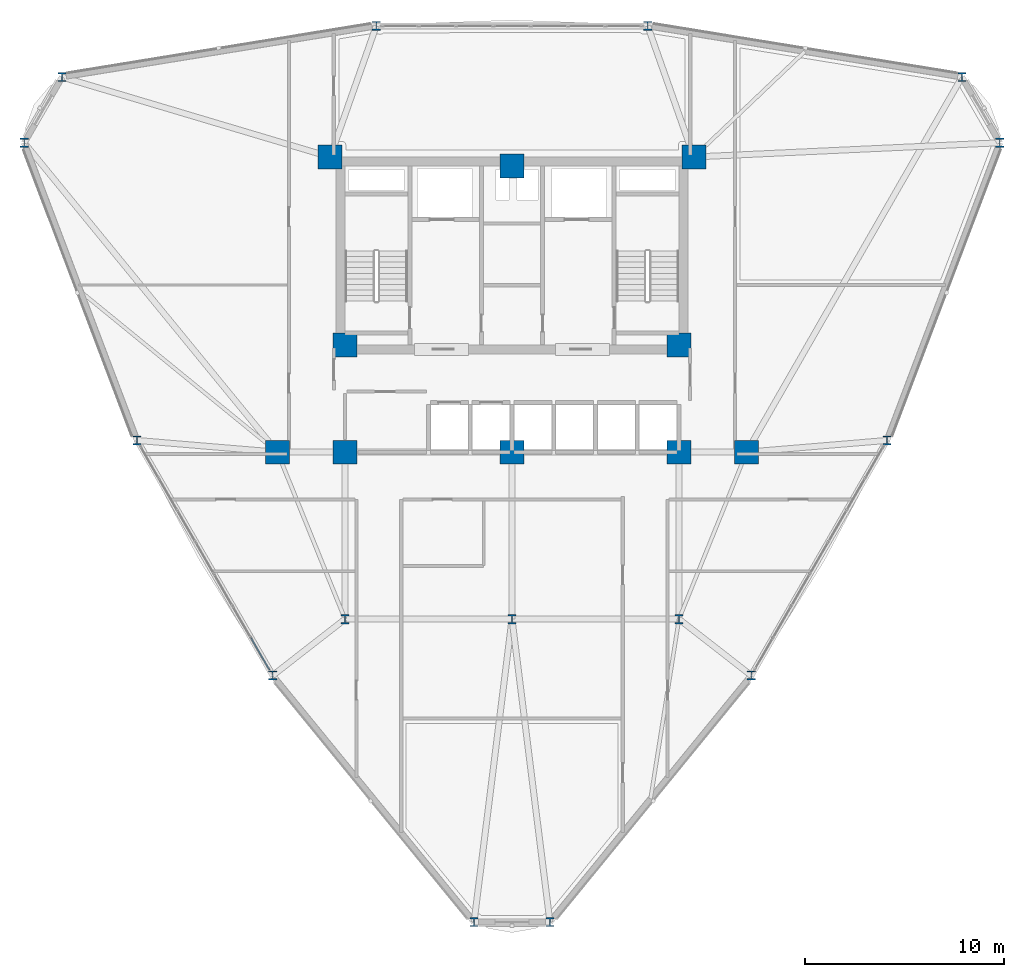
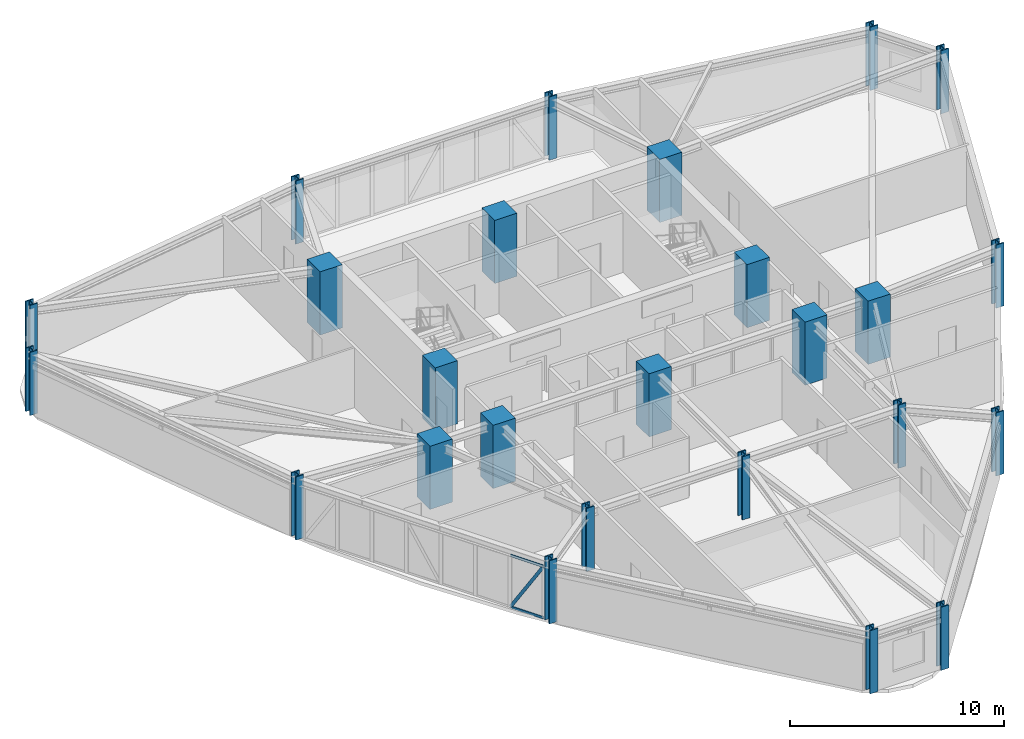
# One storey, part 1 of 17: 25 columns, 3 members, 1 element without a shape of its own.
"""IFC4 building model written with IfcOpenShell, lengths in metres."""

import ifcopenshell
import ifcopenshell.guid

model = None  # the IFC model being written
_history = None  # IfcOwnerHistory: only IFC2X3 demands one
_inside = {}  # id of a spatial element -> (the spatial element, [elements in it])
_under = {}  # id of a project, library or spatial element -> (it, [spatial elements below it])
_declared = {}  # id of a project -> (the project, [libraries it declares])
_typed = {}  # id of a type object -> (the type object, [elements of that type])
_made_of = {}  # id of a material, layer set ... -> (it, [elements and type objects made of it])


def new_model(schema):
    """Start an empty IFC model of exactly this schema.

    Asked for "IFC4X3", IfcOpenShell would pick the latest addendum, in which some entities
    have other attributes; the version numbers below select the first issue.
    IFC2X3 requires an IfcOwnerHistory on every rooted entity: one is made here for all.
    """
    global model, _history
    if schema == "IFC4X3":
        model = ifcopenshell.file(schema_version=(4, 3, 0, 0))
    else:
        model = ifcopenshell.file(schema=schema)
    _inside.clear()
    _under.clear()
    _declared.clear()
    _typed.clear()
    _made_of.clear()
    _history = None
    if model.schema == "IFC2X3":
        org = make("IfcOrganization", Name="unknown")
        user = make(
            "IfcPersonAndOrganization",
            ThePerson=make("IfcPerson", FamilyName="unknown"),
            TheOrganization=org,
        )
        app = make(
            "IfcApplication",
            ApplicationDeveloper=org,
            Version="unknown",
            ApplicationFullName="unknown",
            ApplicationIdentifier="unknown",
        )
        _history = make(
            "IfcOwnerHistory",
            OwningUser=user,
            OwningApplication=app,
            ChangeAction="ADDED",
            CreationDate=0,
        )
    return model


def make(cls, **values):
    """One entity of the class cls with the attributes given. An attribute that is None is left unset."""
    return model.create_entity(
        cls, **{name: value for name, value in values.items() if value is not None}
    )


def rooted(cls, **values):
    """An entity with a GlobalId (a new one), such as an element, a storey or a relation."""
    return make(cls, GlobalId=ifcopenshell.guid.new(), OwnerHistory=_history, **values)


def si_unit(unit_type, name, prefix=None):
    """IfcSIUnit, for example si_unit("LENGTHUNIT", "METRE", prefix="MILLI")."""
    return make("IfcSIUnit", UnitType=unit_type, Prefix=prefix, Name=name)


def derived_unit(unit_type, elements):
    """IfcDerivedUnit: a product of units, each with its exponent."""
    return make(
        "IfcDerivedUnit",
        Elements=[
            make("IfcDerivedUnitElement", Unit=unit, Exponent=power)
            for unit, power in elements
        ],
        UnitType=unit_type,
    )


def assignment(units):
    """IfcUnitAssignment: the units of a project."""
    return None if units is None else make("IfcUnitAssignment", Units=units)


def point(xyz):
    """IfcCartesianPoint."""
    return None if xyz is None else make("IfcCartesianPoint", Coordinates=xyz)


def direction(xyz):
    """IfcDirection."""
    return None if xyz is None else make("IfcDirection", DirectionRatios=xyz)


def frame(location, z_axis=None, x_axis=None):
    """IfcAxis2Placement3D, a coordinate frame: its origin and axes. An axis left out is left unset."""
    return make(
        "IfcAxis2Placement3D",
        Location=point(location),
        Axis=direction(z_axis),
        RefDirection=direction(x_axis),
    )


def frame_2d(location, x_axis=None):
    """IfcAxis2Placement2D, a coordinate frame in the plane: its origin and x axis."""
    return make(
        "IfcAxis2Placement2D", Location=point(location), RefDirection=direction(x_axis)
    )


def origin():
    """The frame at (0, 0, 0) with its axes left unset."""
    return frame((0.0, 0.0, 0.0))


def origin_2d():
    """The frame at (0, 0) in the plane with its x axis left unset."""
    return frame_2d((0.0, 0.0))


def place(relative_to, where):
    """IfcLocalPlacement: puts the frame where relative to a parent placement (None: the world)."""
    return make(
        "IfcLocalPlacement", PlacementRelTo=relative_to, RelativePlacement=where
    )


def context(
    kind, dimensions, precision=None, world=None, true_north=None, identifier=None
):
    """IfcGeometricRepresentationContext, for example the 3D "Model" context."""
    return make(
        "IfcGeometricRepresentationContext",
        ContextIdentifier=identifier,
        ContextType=kind,
        CoordinateSpaceDimension=dimensions,
        Precision=precision,
        WorldCoordinateSystem=world,
        TrueNorth=true_north,
    )


def subcontext(parent, identifier, kind, view, scale=None):
    """IfcGeometricRepresentationSubContext, for example "Body" below "Model"."""
    return make(
        "IfcGeometricRepresentationSubContext",
        ContextIdentifier=identifier,
        ContextType=kind,
        ParentContext=parent,
        TargetScale=scale,
        TargetView=view,
    )


def project(units=None, contexts=None):
    """IfcProject with its units and contexts."""
    return rooted(
        "IfcProject",
        Name="project",
        RepresentationContexts=contexts,
        UnitsInContext=assignment(units),
    )


def spatial(cls, under=None, at=None, **own):
    """A site, building, storey or space (cls), placed at a placement, below another one or the project."""
    s = rooted(cls, ObjectPlacement=at, **own)
    if under is not None:
        _under.setdefault(under.id(), (under, []))[1].append(s)
    return s


def profile(cls, at=None, kind="AREA", **sizes):
    """A parametric profile (cls). Its sizes go by their IFC names, for example OverallWidth=200.0."""
    return make(cls, ProfileType=kind, Position=at, **sizes)


def rectangle(**sizes):
    """IfcRectangleProfileDef."""
    return profile("IfcRectangleProfileDef", **sizes)


def hollow_rectangle(**sizes):
    """IfcRectangleHollowProfileDef."""
    return profile("IfcRectangleHollowProfileDef", **sizes)


def i_section(**sizes):
    """IfcIShapeProfileDef."""
    return profile("IfcIShapeProfileDef", **sizes)


def extrude(swept, where, along, depth):
    """IfcExtrudedAreaSolid: the profile swept, set in the frame where, extruded along a direction by depth."""
    return make(
        "IfcExtrudedAreaSolid",
        SweptArea=swept,
        Position=where,
        ExtrudedDirection=direction(along),
        Depth=depth,
    )


def shape(context_of_items, identifier, shape_type, items):
    """IfcShapeRepresentation: the items that make up one representation, for example the "Body"."""
    return make(
        "IfcShapeRepresentation",
        ContextOfItems=context_of_items,
        RepresentationIdentifier=identifier,
        RepresentationType=shape_type,
        Items=items,
    )


def source(mapping_origin, context_of_items, identifier, shape_type, items):
    """IfcRepresentationMap: a shape defined once, which mapped items show again and again."""
    return make(
        "IfcRepresentationMap",
        MappingOrigin=mapping_origin,
        MappedRepresentation=shape(context_of_items, identifier, shape_type, items),
    )


def transform(
    local_origin,
    x_axis=None,
    y_axis=None,
    z_axis=None,
    scale=None,
    scale2=None,
    scale3=None,
    uniform=True,
):
    """IfcCartesianTransformationOperator3D, or its non-uniform kind. x_axis, y_axis, z_axis: its Axis1, 2, 3."""
    if uniform:
        return make(
            "IfcCartesianTransformationOperator3D",
            Axis1=direction(x_axis),
            Axis2=direction(y_axis),
            LocalOrigin=point(local_origin),
            Scale=scale,
            Axis3=direction(z_axis),
        )
    return make(
        "IfcCartesianTransformationOperator3DnonUniform",
        Axis1=direction(x_axis),
        Axis2=direction(y_axis),
        LocalOrigin=point(local_origin),
        Scale=scale,
        Axis3=direction(z_axis),
        Scale2=scale2,
        Scale3=scale3,
    )


def mapped(mapping_source, mapping_target):
    """IfcMappedItem: shows the shape of a source again, moved by a transform."""
    return make(
        "IfcMappedItem", MappingSource=mapping_source, MappingTarget=mapping_target
    )


def material(Name=None, Category=None):
    """IfcMaterial."""
    return make("IfcMaterial", Name=Name, Category=Category)


def layer(
    of_material, thickness, ventilated=None, Name=None, Category=None, Priority=None
):
    """IfcMaterialLayer: one layer of a wall or slab, of a material (None: an air gap)."""
    return make(
        "IfcMaterialLayer",
        Material=of_material,
        LayerThickness=thickness,
        IsVentilated=ventilated,
        Name=Name,
        Category=Category,
        Priority=Priority,
    )


def layer_set(layers, Name=None):
    """IfcMaterialLayerSet."""
    return make("IfcMaterialLayerSet", MaterialLayers=layers, LayerSetName=Name)


def material_profile(
    of_material, cross_section, Name=None, Category=None, Priority=None
):
    """IfcMaterialProfile: a cross section and its material."""
    return make(
        "IfcMaterialProfile",
        Name=Name,
        Material=of_material,
        Profile=cross_section,
        Priority=Priority,
        Category=Category,
    )


def profile_set(profiles, Name=None, composite=None):
    """IfcMaterialProfileSet."""
    return make(
        "IfcMaterialProfileSet",
        Name=Name,
        MaterialProfiles=profiles,
        CompositeProfile=composite,
    )


def made_of(thing, what):
    """Note that an element or type object is made of a material, layer set ...; save() writes the relation."""
    if what is not None:
        _made_of.setdefault(what.id(), (what, []))[1].append(thing)
    return thing


def type_object(cls, material=None, **own):
    """A type object (cls), such as IfcWallType, which elements share."""
    return made_of(rooted(cls, **own), material)


def element(
    cls,
    number,
    at=None,
    inside=None,
    cuts=None,
    type_object=None,
    material=None,
    context=None,
    identifier="Body",
    shape_type=None,
    held_by="IfcProductDefinitionShape",
    body=None,
    shapes=None,
    **own,
):
    """One element of the class cls, such as IfcWall. Its Tag is "e" and its number.

    at: its placement. inside: the storey or other place that contains it. cuts: it is an
    opening in that element (IfcRelVoidsElement). A single representation is given by context,
    identifier, shape_type and body (its items); several are given by shapes. held_by: the class
    of the entity that holds the representations. save() writes the other relations.
    """
    e = rooted(cls, Tag="e%d" % number, ObjectPlacement=at, **own)
    if body is not None:
        shapes = [shape(context, identifier, shape_type, body)]
    if shapes is not None:
        e.Representation = make(held_by, Representations=shapes)
    if inside is not None:
        _inside.setdefault(inside.id(), (inside, []))[1].append(e)
    if cuts is not None:
        rooted(
            "IfcRelVoidsElement", RelatingBuildingElement=cuts, RelatedOpeningElement=e
        )
    if type_object is not None:
        _typed.setdefault(type_object.id(), (type_object, []))[1].append(e)
    return made_of(e, material)


def aggregate(whole, parts):
    """IfcRelAggregates: a whole, such as a stair, and the parts it consists of."""
    return rooted("IfcRelAggregates", RelatingObject=whole, RelatedObjects=parts)


def save(model, path):
    """Write the relations noted so far, then the file.

    IfcRelAggregates (storeys below a building ...), IfcRelContainedInSpatialStructure (elements
    in a storey), IfcRelDefinesByType, IfcRelAssociatesMaterial and IfcRelDeclares: one each for
    every whole, place, type object, material and project.
    """
    for whole, parts in _under.values():
        aggregate(whole, parts)
    for where, things in _inside.values():
        rooted(
            "IfcRelContainedInSpatialStructure",
            RelatedElements=things,
            RelatingStructure=where,
        )
    for kind, things in _typed.values():
        rooted("IfcRelDefinesByType", RelatedObjects=things, RelatingType=kind)
    for what, things in _made_of.values():
        rooted("IfcRelAssociatesMaterial", RelatedObjects=things, RelatingMaterial=what)
    for by, libraries in _declared.values():
        rooted("IfcRelDeclares", RelatingContext=by, RelatedDefinitions=libraries)
    model.write(path)


model = new_model("IFC4")

# Units and contexts
model_context = context("Model", 3, precision=1e-05, world=origin(), true_north=direction((0.0, 1.0)))
body_context = subcontext(model_context, "Body", "Model", "MODEL_VIEW")
ifc_project = project(units=[si_unit("LENGTHUNIT", "METRE"), si_unit("AREAUNIT", "SQUARE_METRE"), si_unit("VOLUMEUNIT", "CUBIC_METRE"), si_unit("PLANEANGLEUNIT", "RADIAN"), si_unit("MASSUNIT", "GRAM", prefix="KILO"), derived_unit("THERMALTRANSMITTANCEUNIT", [(si_unit("POWERUNIT", "WATT"), 1), (si_unit("LENGTHUNIT", "METRE"), -2), (si_unit("THERMODYNAMICTEMPERATUREUNIT", "KELVIN"), -1)])], contexts=[model_context])

# Site, building, storey
site_placement = place(None, origin())
site = spatial("IfcSite", under=ifc_project, at=site_placement, CompositionType="ELEMENT")
building_placement = place(site_placement, origin())
building = spatial("IfcBuilding", under=site, at=building_placement, Name="Korsvarv Bourse and Concert Hall", CompositionType="ELEMENT")
storey_placement = place(building_placement, frame((0.0, 0.0, 120.60009765625)))
storey = spatial("IfcBuildingStorey", under=building, at=storey_placement, Name="L30", CompositionType="ELEMENT", Elevation=120.60009765625)

# Columns
ifc_material_1 = material(Name="Concrete C60/75", Category="concrete")
ifc_material_profile_1 = material_profile(ifc_material_1, rectangle(XDim=1.199951171875, YDim=1.199951171875, at=origin_2d()), Name="RC 1200x1200")
ifc_profile_set_1 = profile_set([ifc_material_profile_1], Name="Concrete C60/75")
column_type_1 = type_object("IfcColumnType", Name="COL-RC1200", PredefinedType="COLUMN", material=ifc_profile_set_1)
shared_shape_1 = source(origin(), body_context, "Body", "SweptSolid", [
    extrude(rectangle(XDim=1.199951171875, YDim=1.199951171875, at=origin_2d()), origin(), (0.0, 0.0, 1.0), 3.599853515625),
])
for number, where, z_axis, x_axis, name in (
    (1, (26.85009765625, 47.25, 0.0), (0.0, 0.0, 1.0), (1.0, 0.0, 0.0), "L30 column C-02"),
    (2, (45.14990234375, 47.25, 0.0), (0.0, 0.0, 1.0), (1.0, 0.0, 0.0), "L30 column C-02"),
    (3, (27.60009765625, 37.800048828125, 0.0), (0.0, 0.0, 1.0), (1.0, 0.0, 0.0), "L30 column C-02"),
    (4, (44.39990234375, 37.800048828125, 0.0), (0.0, 0.0, 1.0), (1.0, 0.0, 0.0), "L30 column C-02"),
    (5, (27.60009765625, 32.39990234375, 0.0), (0.0, 0.0, 1.0), (1.0, 0.0, 0.0), "L30 column C-02"),
    (6, (44.39990234375, 32.39990234375, 0.0), (0.0, 0.0, 1.0), (1.0, 0.0, 0.0), "L30 column C-02"),
    (7, (36.0, 46.800048828125, 0.0), (0.0, 0.0, 1.0), (1.0, 0.0, 0.0), "L30 column C-02"),
    (8, (36.0, 32.39990234375, 0.0), (0.0, 0.0, 1.0), (1.0, 0.0, 0.0), "L30 column C-02"),
    (9, (24.199951171875, 32.39990234375, 0.0), (0.0, 0.0, 1.0), (1.0, 0.0, 0.0), "L30 column C-02"),
    (10, (47.800048828125, 32.39990234375, 0.0), (0.0, 0.0, 1.0), (1.0, 0.0, 0.0), "L30 column C-02"),
):
    element("IfcColumn", number, at=place(storey_placement, frame(where, z_axis=z_axis, x_axis=x_axis)), inside=storey, type_object=column_type_1, Name=name, PredefinedType="COLUMN", context=body_context, shape_type="MappedRepresentation", body=[
        mapped(shared_shape_1, transform((0.0, 0.0, 0.0), scale=1.0)),
    ])
ifc_material_2 = material(Name="Steel S460", Category="steel")
ifc_material_profile_2 = material_profile(ifc_material_2, i_section(OverallWidth=0.424072265625, OverallDepth=0.47412109375, WebThickness=0.044921875, FlangeThickness=0.072021484375, FilletRadius=0.014892578125, at=origin_2d()), Name="HD 400x634")
ifc_profile_set_2 = profile_set([ifc_material_profile_2], Name="Steel S460")
column_type_2 = type_object("IfcColumnType", Name="COL-HD634", PredefinedType="COLUMN", material=ifc_profile_set_2)
shared_shape_2 = source(origin(), body_context, "Body", "SweptSolid", [
    extrude(i_section(OverallWidth=0.424072265625, OverallDepth=0.47412109375, WebThickness=0.044921875, FlangeThickness=0.072021484375, FilletRadius=0.014892578125, at=origin_2d()), origin(), (0.0, 0.0, 1.0), 3.599853515625),
])
for number, where, z_axis, x_axis, name in (
    (11, (27.60009765625, 24.0, 0.0), (0.0, 0.0, 1.0), (1.0, 0.0, 0.0), "L30 column C-07"),
    (12, (44.39990234375, 24.0, 0.0), (0.0, 0.0, 1.0), (1.0, 0.0, 0.0), "L30 column C-07"),
    (13, (36.0, 24.0, 0.0), (0.0, 0.0, 1.0), (1.0, 0.0, 0.0), "L30 column C-07"),
):
    element("IfcColumn", number, at=place(storey_placement, frame(where, z_axis=z_axis, x_axis=x_axis)), inside=storey, type_object=column_type_2, Name=name, PredefinedType="COLUMN", context=body_context, shape_type="MappedRepresentation", body=[
        mapped(shared_shape_2, transform((0.0, 0.0, 0.0), scale=1.0)),
    ])
ifc_material_profile_3 = material_profile(ifc_material_2, i_section(OverallWidth=0.41796875, OverallDepth=0.455078125, WebThickness=0.0390625, FlangeThickness=0.06298828125, FilletRadius=0.014892578125, at=origin_2d()), Name="HD 400x551")
ifc_profile_set_3 = profile_set([ifc_material_profile_3], Name="Steel S460")
column_type_3 = type_object("IfcColumnType", Name="COL-HD551", PredefinedType="COLUMN", material=ifc_profile_set_3)
shared_shape_3 = source(origin(), body_context, "Body", "SweptSolid", [
    extrude(i_section(OverallWidth=0.41796875, OverallDepth=0.455078125, WebThickness=0.0390625, FlangeThickness=0.06298828125, FilletRadius=0.014892578125, at=origin_2d()), origin(), (0.0, 0.0, 1.0), 3.599853515625),
])
for number, where, z_axis, x_axis, name in (
    (14, (60.541748046875, 47.966064453125, 0.0), (0.0, 0.0, 1.0), (1.0, 0.0, 0.0), "L30 column C-08"),
    (15, (58.6337890625, 51.270751953125, 0.0), (0.0, 0.0, 1.0), (1.0, 0.0, 0.0), "L30 column C-08"),
    (16, (42.82666015625, 53.84130859375, 0.0), (0.0, 0.0, 1.0), (1.0, 0.0, 0.0), "L30 column C-08"),
    (17, (29.17333984375, 53.84130859375, 0.0), (0.0, 0.0, 1.0), (1.0, 0.0, 0.0), "L30 column C-08"),
    (18, (13.3662109375, 51.270751953125, 0.0), (0.0, 0.0, 1.0), (1.0, 0.0, 0.0), "L30 column C-08"),
    (19, (11.458251953125, 47.966064453125, 0.0), (0.0, 0.0, 1.0), (1.0, 0.0, 0.0), "L30 column C-08"),
    (20, (17.1357421875, 32.991455078125, 0.0), (0.0, 0.0, 1.0), (1.0, 0.0, 0.0), "L30 column C-08"),
    (21, (23.96240234375, 21.167236328125, 0.0), (0.0, 0.0, 1.0), (1.0, 0.0, 0.0), "L30 column C-08"),
    (22, (34.092041015625, 8.76318359375, 0.0), (0.0, 0.0, 1.0), (1.0, 0.0, 0.0), "L30 column C-08"),
    (23, (37.907958984375, 8.76318359375, 0.0), (0.0, 0.0, 1.0), (1.0, 0.0, 0.0), "L30 column C-08"),
    (24, (48.03759765625, 21.167236328125, 0.0), (0.0, 0.0, 1.0), (1.0, 0.0, 0.0), "L30 column C-08"),
    (25, (54.8642578125, 32.991455078125, 0.0), (0.0, 0.0, 1.0), (1.0, 0.0, 0.0), "L30 column C-08"),
):
    element("IfcColumn", number, at=place(storey_placement, frame(where, z_axis=z_axis, x_axis=x_axis)), inside=storey, type_object=column_type_3, Name=name, PredefinedType="COLUMN", context=body_context, shape_type="MappedRepresentation", body=[
        mapped(shared_shape_3, transform((0.0, 0.0, 0.0), scale=1.0)),
    ])

# Curtain wall, members
ifc_material_3 = material(Name="Anodised aluminium and triple low-E glazing", Category="glass")
ifc_layer = layer(ifc_material_3, 0.2099609375)
ifc_layer_set = layer_set([ifc_layer], Name="Anodised aluminium and triple low-E glazing")
curtain_wall_type = type_object("IfcCurtainWallType", Name="CW-SYS-2", PredefinedType="NOTDEFINED", material=ifc_layer_set)
curtain_wall_placement = place(storey_placement, origin())
curtain_wall = element("IfcCurtainWall", 26, at=curtain_wall_placement, inside=storey, type_object=curtain_wall_type, Name="L30 CW2 curtain wall CW-L30-F07", PredefinedType="NOTDEFINED")
ifc_material_4 = material(Name="Extruded aluminium EN AW-6063 T66", Category="aluminium")
ifc_material_profile_4 = material_profile(ifc_material_4, hollow_rectangle(XDim=0.06494140625, YDim=0.139892578125, WallThickness=0.00390625, at=origin_2d()), Name="ALU-T 65x140")
ifc_profile_set_4 = profile_set([ifc_material_profile_4], Name="Extruded aluminium EN AW-6063 T66")
member_type_1 = type_object("IfcMemberType", Name="CWT-140", PredefinedType="USERDEFINED", material=ifc_profile_set_4)
shared_shape_4 = source(origin(), body_context, "Body", "SweptSolid", [
    extrude(hollow_rectangle(XDim=0.06494140625, YDim=0.139892578125, WallThickness=0.00390625, at=origin_2d()), origin(), (0.0, 0.0, 1.0), 1.75390625),
])
member_1_placement = place(storey_placement, frame((22.890380859375, 23.0244140625, 0.032470703125), z_axis=(0.499971461383, -0.866041879935, 0.0), x_axis=(0.866041879935, 0.499971461383, 0.0)))
member_1 = element("IfcMember", 27, at=member_1_placement, type_object=member_type_1, Name="CW2 transom 7.1", ObjectType="TRANSOM", PredefinedType="USERDEFINED", context=body_context, shape_type="MappedRepresentation", body=[
    mapped(shared_shape_4, transform((0.0, 0.0, 0.0), scale=1.0)),
])
member_2_placement = place(storey_placement, frame((22.890380859375, 23.0244140625, 2.96728515625), z_axis=(0.499971461383, -0.866041879935, 0.0), x_axis=(0.866041879935, 0.499971461383, 0.0)))
member_2 = element("IfcMember", 28, at=member_2_placement, type_object=member_type_1, Name="CW2 transom 7.2", ObjectType="TRANSOM", PredefinedType="USERDEFINED", context=body_context, shape_type="MappedRepresentation", body=[
    mapped(shared_shape_4, transform((0.0, 0.0, 0.0), scale=1.0)),
])
ifc_material_profile_5 = material_profile(ifc_material_4, hollow_rectangle(XDim=0.06494140625, YDim=0.1650390625, WallThickness=0.0048828125, at=origin_2d()), Name="ALU-M 65x165")
ifc_profile_set_5 = profile_set([ifc_material_profile_5], Name="Extruded aluminium EN AW-6063 T66")
member_type_2 = type_object("IfcMemberType", Name="CWM-165", PredefinedType="MULLION", material=ifc_profile_set_5)
shared_shape_5 = source(origin(), body_context, "Body", "SweptSolid", [
    extrude(hollow_rectangle(XDim=0.06494140625, YDim=0.1650390625, WallThickness=0.0048828125, at=origin_2d()), origin(), (0.0, 0.0, 1.0), 3.363525390625),
])
member_3_placement = place(storey_placement, frame((22.890380859375, 23.0244140625, 0.06494140625), z_axis=(0.260731233972, -0.451634114079, 0.853256028769), x_axis=(0.866041879935, 0.499971461383, 0.0)))
member_3 = element("IfcMember", 29, at=member_3_placement, type_object=member_type_2, Name="CW2 diagonal mullion 7", PredefinedType="MULLION", context=body_context, shape_type="MappedRepresentation", body=[
    mapped(shared_shape_5, transform((0.0, 0.0, 0.0), scale=1.0)),
])
aggregate(curtain_wall, [member_1, member_2, member_3])

save(model, "model.ifc")
